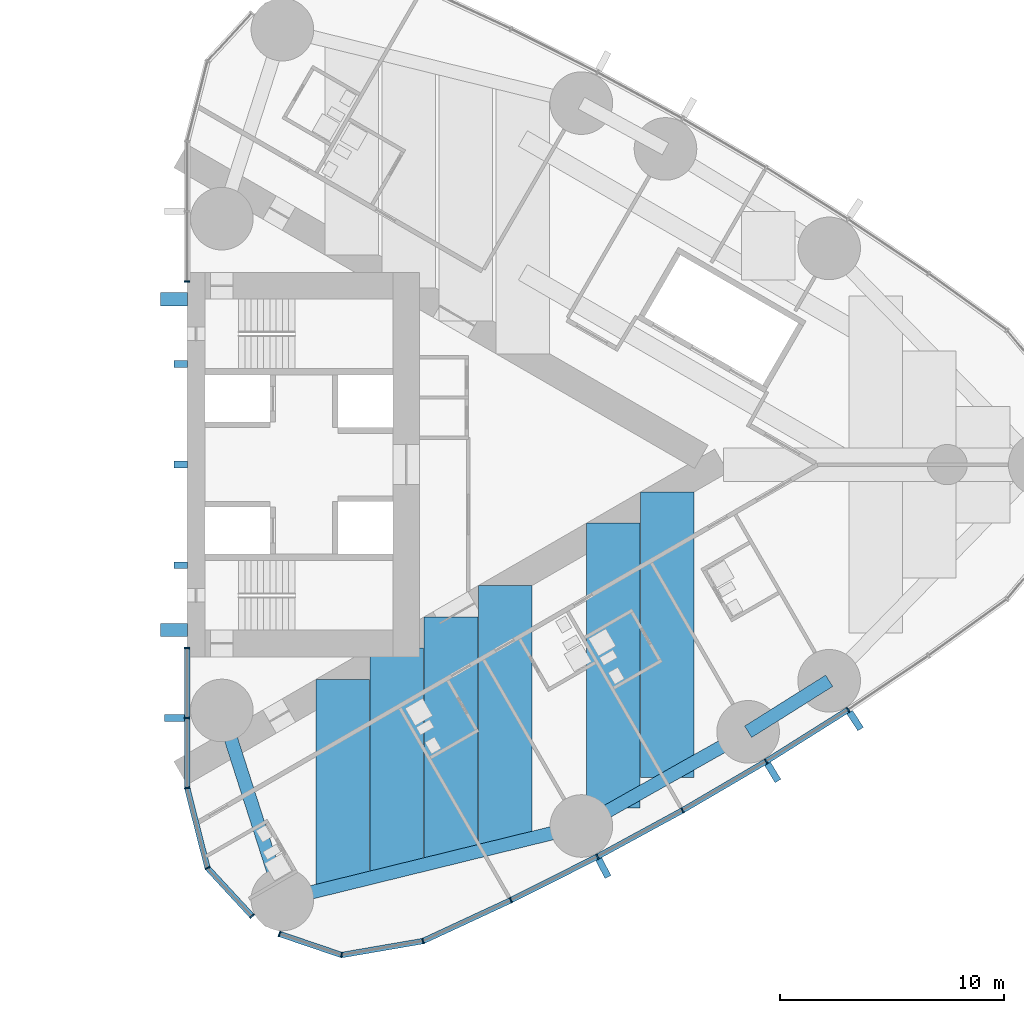
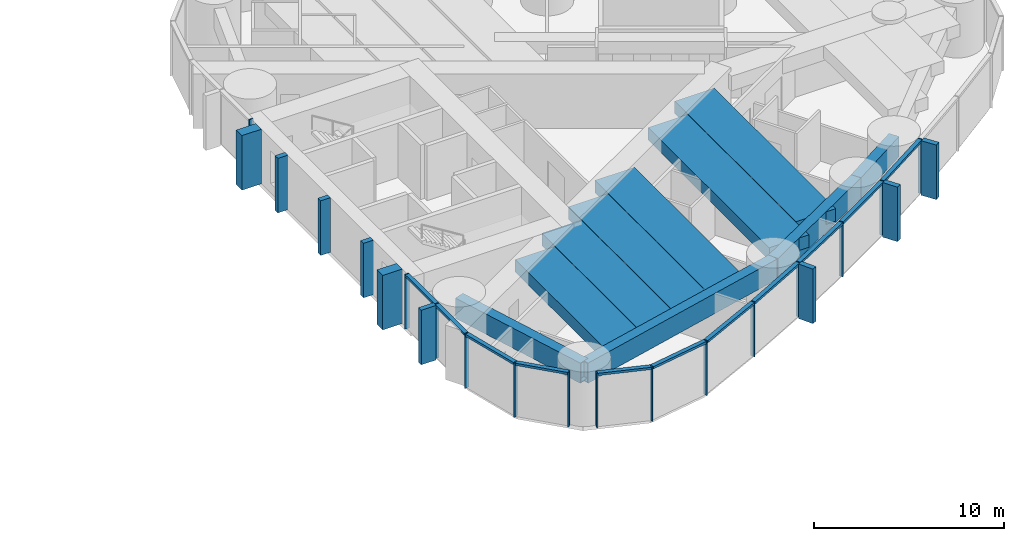
# One storey, part 6 of 19: 34 members, 10 beams, 3 elements without a shape of their own.
"""IFC4 building model written with IfcOpenShell, lengths in metres."""

from ifc_helpers import new_model, si_unit, direction, frame, origin, origin_2d, place, context, subcontext, project, spatial, rectangle, hollow_rectangle, extrude, material, material_profile, profile_set, type_object, element, aggregate, save


model = new_model("IFC4")

# Units and contexts
model_context = context("Model", 3, precision=1e-05, world=origin(), true_north=direction((0.0, 1.0)))
body_context = subcontext(model_context, "Body", "Model", "MODEL_VIEW")
ifc_project = project(units=[si_unit("LENGTHUNIT", "METRE"), si_unit("AREAUNIT", "SQUARE_METRE"), si_unit("VOLUMEUNIT", "CUBIC_METRE"), si_unit("PLANEANGLEUNIT", "RADIAN"), si_unit("MASSUNIT", "GRAM", prefix="KILO")], contexts=[model_context])

# Site, building, storey
site_placement = place(None, origin())
site = spatial("IfcSite", under=ifc_project, at=site_placement, CompositionType="ELEMENT")
building_placement = place(site_placement, origin())
building = spatial("IfcBuilding", under=site, at=building_placement, Name="Lancet Gate Hotel", CompositionType="ELEMENT")
storey_placement = place(building_placement, frame((0.0, 0.0, 198.300048828125)))
storey = spatial("IfcBuildingStorey", under=building, at=storey_placement, Name="L53", CompositionType="ELEMENT", Elevation=198.300048828125)

# Curtain wall, members
ifc_material_1 = material(Name="Aluminium curtain wall", Category="aluminium")
curtain_wall_type = type_object("IfcCurtainWallType", Name="Tower unitised curtain wall", PredefinedType="USERDEFINED", material=ifc_material_1)
curtain_wall_1_placement = place(storey_placement, origin())
curtain_wall_1 = element("IfcCurtainWall", 1, at=curtain_wall_1_placement, inside=storey, type_object=curtain_wall_type, Name="T2 L53 curtain wall 1", ObjectType="UNITISED CURTAIN WALL", PredefinedType="USERDEFINED")
ifc_material_2 = material(Name="Aluminium mullion", Category="aluminium")
ifc_material_profile_1 = material_profile(ifc_material_2, rectangle(XDim=0.06494140625, YDim=0.25, at=origin_2d()), Name="MULLION 65x250")
ifc_profile_set_1 = profile_set([ifc_material_profile_1], Name="Aluminium mullion")
member_type_1 = type_object("IfcMemberType", Name="Aluminium mullion 65x250", PredefinedType="MULLION", material=ifc_profile_set_1)
member_1_placement = place(storey_placement, frame((27.5, -8.199951171875, 0.0), z_axis=(0.0, 0.0, 1.0), x_axis=(0.0, -1.0, 0.0)))
member_1 = element("IfcMember", 2, at=member_1_placement, type_object=member_type_1, Name="T2 L53 curtain wall 1 mullion 1", PredefinedType="MULLION", context=body_context, shape_type="SweptSolid", body=[
    extrude(rectangle(XDim=0.06494140625, YDim=0.25, at=origin_2d()), origin(), (0.0, 0.0, 1.0), 3.5),
])
member_2_placement = place(storey_placement, frame((27.5, -11.332763671875, 0.0), z_axis=(0.0, 0.0, 1.0), x_axis=(0.0, -1.0, 0.0)))
member_2 = element("IfcMember", 3, at=member_2_placement, type_object=member_type_1, Name="T2 L53 curtain wall 1 mullion 2", PredefinedType="MULLION", context=body_context, shape_type="SweptSolid", body=[
    extrude(rectangle(XDim=0.06494140625, YDim=0.25, at=origin_2d()), origin(), (0.0, 0.0, 1.0), 3.5),
])
member_3_placement = place(storey_placement, frame((27.5, -14.465576171875, 0.0), z_axis=(0.0, 0.0, 1.0), x_axis=(0.134206524909, -0.990953383703, 0.0)))
member_3 = element("IfcMember", 4, at=member_3_placement, type_object=member_type_1, Name="T2 L53 curtain wall 1 mullion 3", PredefinedType="MULLION", context=body_context, shape_type="SweptSolid", body=[
    extrude(rectangle(XDim=0.06494140625, YDim=0.25, at=origin_2d()), origin(), (0.0, 0.0, 1.0), 3.5),
])
member_4_placement = place(storey_placement, frame((28.408935546875, -18.04443359375, 0.0), z_axis=(0.0, 0.0, 1.0), x_axis=(0.451505925065, -0.892268120932, 0.0)))
member_4 = element("IfcMember", 5, at=member_4_placement, type_object=member_type_1, Name="T2 L53 curtain wall 1 mullion 4", PredefinedType="MULLION", context=body_context, shape_type="SweptSolid", body=[
    extrude(rectangle(XDim=0.06494140625, YDim=0.25, at=origin_2d()), origin(), (0.0, 0.0, 1.0), 3.5),
])
member_5_placement = place(storey_placement, frame((30.40185546875, -20.199951171875, 0.0), z_axis=(0.0, 0.0, 1.0), x_axis=(0.67883123083, -0.734294327943, 0.0)))
member_5 = element("IfcMember", 6, at=member_5_placement, type_object=member_type_1, Name="T2 L53 curtain wall 1 mullion 5", PredefinedType="MULLION", context=body_context, shape_type="SweptSolid", body=[
    extrude(rectangle(XDim=0.06494140625, YDim=0.25, at=origin_2d()), origin(), (0.0, 0.0, 1.0), 3.5),
])

curtain_wall_2_placement = place(storey_placement, origin())
curtain_wall_2 = element("IfcCurtainWall", 7, at=curtain_wall_2_placement, inside=storey, type_object=curtain_wall_type, Name="T2 L53 curtain wall 2", ObjectType="UNITISED CURTAIN WALL", PredefinedType="USERDEFINED")
member_6_placement = place(storey_placement, frame((31.631591796875, -20.998779296875, 0.0), z_axis=(0.0, 0.0, 1.0), x_axis=(0.946952368511, -0.321373943827, 0.0)))
member_6 = element("IfcMember", 8, at=member_6_placement, type_object=member_type_1, Name="T2 L53 curtain wall 2 mullion 1", PredefinedType="MULLION", context=body_context, shape_type="SweptSolid", body=[
    extrude(rectangle(XDim=0.06494140625, YDim=0.25, at=origin_2d()), origin(), (0.0, 0.0, 1.0), 3.5),
])
member_7_placement = place(storey_placement, frame((34.412109375, -21.9423828125, 0.0), z_axis=(0.0, 0.0, 1.0), x_axis=(0.99877556888, -0.049470829879, 0.0)))
member_7 = element("IfcMember", 9, at=member_7_placement, type_object=member_type_1, Name="T2 L53 curtain wall 2 mullion 2", PredefinedType="MULLION", context=body_context, shape_type="SweptSolid", body=[
    extrude(rectangle(XDim=0.06494140625, YDim=0.25, at=origin_2d()), origin(), (0.0, 0.0, 1.0), 3.5),
])
member_8_placement = place(storey_placement, frame((38.05126953125, -21.31689453125, 0.0), z_axis=(0.0, 0.0, 1.0), x_axis=(0.951355493327, 0.308095318555, 0.0)))
member_8 = element("IfcMember", 10, at=member_8_placement, type_object=member_type_1, Name="T2 L53 curtain wall 2 mullion 3", PredefinedType="MULLION", context=body_context, shape_type="SweptSolid", body=[
    extrude(rectangle(XDim=0.06494140625, YDim=0.25, at=origin_2d()), origin(), (0.0, 0.0, 1.0), 3.5),
])
member_9_placement = place(storey_placement, frame((41.98193359375, -19.490966796875, 0.0), z_axis=(0.0, 0.0, 1.0), x_axis=(0.900141333422, 0.435597956681, 0.0)))
member_9 = element("IfcMember", 11, at=member_9_placement, type_object=member_type_1, Name="T2 L53 curtain wall 2 mullion 4", PredefinedType="MULLION", context=body_context, shape_type="SweptSolid", body=[
    extrude(rectangle(XDim=0.06494140625, YDim=0.25, at=origin_2d()), origin(), (0.0, 0.0, 1.0), 3.5),
])
member_10_placement = place(storey_placement, frame((45.8525390625, -17.54150390625, 0.0), z_axis=(0.0, 0.0, 1.0), x_axis=(0.885877049989, 0.463920092584, 0.0)))
member_10 = element("IfcMember", 12, at=member_10_placement, type_object=member_type_1, Name="T2 L53 curtain wall 2 mullion 5", PredefinedType="MULLION", context=body_context, shape_type="SweptSolid", body=[
    extrude(rectangle(XDim=0.06494140625, YDim=0.25, at=origin_2d()), origin(), (0.0, 0.0, 1.0), 3.5),
])
member_11_placement = place(storey_placement, frame((49.65966796875, -15.47021484375, 0.0), z_axis=(0.0, 0.0, 1.0), x_axis=(0.870721916932, 0.491775704336, 0.0)))
member_11 = element("IfcMember", 13, at=member_11_placement, type_object=member_type_1, Name="T2 L53 curtain wall 2 mullion 6", PredefinedType="MULLION", context=body_context, shape_type="SweptSolid", body=[
    extrude(rectangle(XDim=0.06494140625, YDim=0.25, at=origin_2d()), origin(), (0.0, 0.0, 1.0), 3.5),
])
member_12_placement = place(storey_placement, frame((53.39892578125, -13.279541015625, 0.0), z_axis=(0.0, 0.0, 1.0), x_axis=(0.854691174453, 0.519136779965, 0.0)))
member_12 = element("IfcMember", 14, at=member_12_placement, type_object=member_type_1, Name="T2 L53 curtain wall 2 mullion 7", PredefinedType="MULLION", context=body_context, shape_type="SweptSolid", body=[
    extrude(rectangle(XDim=0.06494140625, YDim=0.25, at=origin_2d()), origin(), (0.0, 0.0, 1.0), 3.5),
])
member_13_placement = place(storey_placement, frame((57.067138671875, -10.970947265625, 0.0), z_axis=(0.0, 0.0, 1.0), x_axis=(0.837800943278, 0.545975804815, 0.0)))
member_13 = element("IfcMember", 15, at=member_13_placement, type_object=member_type_1, Name="T2 L53 curtain wall 2 mullion 8", PredefinedType="MULLION", context=body_context, shape_type="SweptSolid", body=[
    extrude(rectangle(XDim=0.06494140625, YDim=0.25, at=origin_2d()), origin(), (0.0, 0.0, 1.0), 3.5),
])

# Curtain wall, member
curtain_wall_3_placement = place(storey_placement, origin())
curtain_wall_3 = element("IfcCurtainWall", 16, at=curtain_wall_3_placement, inside=storey, type_object=curtain_wall_type, Name="T2 L53 curtain wall 4", ObjectType="UNITISED CURTAIN WALL", PredefinedType="USERDEFINED")
member_14_placement = place(storey_placement, frame((27.5, 8.199951171875, 0.0), z_axis=(0.0, 0.0, 1.0), x_axis=(0.0, -1.0, 0.0)))
member_14 = element("IfcMember", 17, at=member_14_placement, type_object=member_type_1, Name="T2 L53 curtain wall 4 mullion 5", PredefinedType="MULLION", context=body_context, shape_type="SweptSolid", body=[
    extrude(rectangle(XDim=0.06494140625, YDim=0.25, at=origin_2d()), origin(), (0.0, 0.0, 1.0), 3.5),
])
aggregate(curtain_wall_3, [member_14])

# Member
ifc_material_3 = material(Name="Aluminium transom", Category="aluminium")
ifc_material_profile_2 = material_profile(ifc_material_3, rectangle(XDim=0.25, YDim=0.14990234375, at=origin_2d()), Name="TRANSOM 250x150")
ifc_profile_set_2 = profile_set([ifc_material_profile_2], Name="Aluminium transom")
member_type_2 = type_object("IfcMemberType", Name="Aluminium transom 250x150", PredefinedType="USERDEFINED", material=ifc_profile_set_2)
member_15_placement = place(storey_placement, frame((27.5, -8.232421875, 3.425048828125), z_axis=(0.0, -1.0, 0.0), x_axis=(1.0, 0.0, 0.0)))
member_15 = element("IfcMember", 18, at=member_15_placement, type_object=member_type_2, Name="T2 L53 curtain wall 1 transom 1", ObjectType="TRANSOM", PredefinedType="USERDEFINED", context=body_context, shape_type="SweptSolid", body=[
    extrude(rectangle(XDim=0.25, YDim=0.14990234375, at=origin_2d()), origin(), (0.0, 0.0, 1.0), 3.06787109375),
])

member_16_placement = place(storey_placement, frame((27.5, -11.365234375, 3.425048828125), z_axis=(0.0, -1.0, 0.0), x_axis=(1.0, 0.0, 0.0)))
member_16 = element("IfcMember", 19, at=member_16_placement, type_object=member_type_2, Name="T2 L53 curtain wall 1 transom 2", ObjectType="TRANSOM", PredefinedType="USERDEFINED", context=body_context, shape_type="SweptSolid", body=[
    extrude(rectangle(XDim=0.25, YDim=0.14990234375, at=origin_2d()), origin(), (0.0, 0.0, 1.0), 3.06787109375),
])

member_17_placement = place(storey_placement, frame((27.508056640625, -14.4970703125, 3.425048828125), z_axis=(0.246128756616, -0.969237140831, 0.0), x_axis=(0.969237140831, 0.246128756616, 0.0)))
member_17 = element("IfcMember", 20, at=member_17_placement, type_object=member_type_2, Name="T2 L53 curtain wall 1 transom 3", ObjectType="TRANSOM", PredefinedType="USERDEFINED", context=body_context, shape_type="SweptSolid", body=[
    extrude(rectangle(XDim=0.25, YDim=0.14990234375, at=origin_2d()), origin(), (0.0, 0.0, 1.0), 3.62744140625),
])

member_18_placement = place(storey_placement, frame((28.43115234375, -18.068359375, 3.425048828125), z_axis=(0.678792146129, -0.734330458549, 0.0), x_axis=(0.734330458549, 0.678792146129, 0.0)))
member_18 = element("IfcMember", 21, at=member_18_placement, type_object=member_type_2, Name="T2 L53 curtain wall 1 transom 4", ObjectType="TRANSOM", PredefinedType="USERDEFINED", context=body_context, shape_type="SweptSolid", body=[
    extrude(rectangle(XDim=0.25, YDim=0.14990234375, at=origin_2d()), origin(), (0.0, 0.0, 1.0), 2.87060546875),
])

member_19_placement = place(storey_placement, frame((31.662353515625, -21.00927734375, 3.425048828125), z_axis=(0.946943122832, -0.321401185625, 0.0), x_axis=(0.321401185625, 0.946943122832, 0.0)))
member_19 = element("IfcMember", 22, at=member_19_placement, type_object=member_type_2, Name="T2 L53 curtain wall 2 transom 1", ObjectType="TRANSOM", PredefinedType="USERDEFINED", context=body_context, shape_type="SweptSolid", body=[
    extrude(rectangle(XDim=0.25, YDim=0.14990234375, at=origin_2d()), origin(), (0.0, 0.0, 1.0), 2.871337890625),
])

member_20_placement = place(storey_placement, frame((34.444091796875, -21.93701171875, 3.425048828125), z_axis=(0.985536950873, 0.169460669373, 0.0), x_axis=(-0.169460669373, 0.985536950873, 0.0)))
member_20 = element("IfcMember", 23, at=member_20_placement, type_object=member_type_2, Name="T2 L53 curtain wall 2 transom 2", ObjectType="TRANSOM", PredefinedType="USERDEFINED", context=body_context, shape_type="SweptSolid", body=[
    extrude(rectangle(XDim=0.25, YDim=0.14990234375, at=origin_2d()), origin(), (0.0, 0.0, 1.0), 3.627685546875),
])

member_21_placement = place(storey_placement, frame((38.080810546875, -21.30322265625, 3.425048828125), z_axis=(0.906913768492, 0.421316290357, 0.0), x_axis=(-0.421316290357, 0.906913768492, 0.0)))
member_21 = element("IfcMember", 24, at=member_21_placement, type_object=member_type_2, Name="T2 L53 curtain wall 2 transom 3", ObjectType="TRANSOM", PredefinedType="USERDEFINED", context=body_context, shape_type="SweptSolid", body=[
    extrude(rectangle(XDim=0.25, YDim=0.14990234375, at=origin_2d()), origin(), (0.0, 0.0, 1.0), 4.26904296875),
])

member_22_placement = place(storey_placement, frame((42.010986328125, -19.476318359375, 3.425048828125), z_axis=(0.893130969207, 0.449796700571, 0.0), x_axis=(-0.449796700571, 0.893130969207, 0.0)))
member_22 = element("IfcMember", 25, at=member_22_placement, type_object=member_type_2, Name="T2 L53 curtain wall 2 transom 4", ObjectType="TRANSOM", PredefinedType="USERDEFINED", context=body_context, shape_type="SweptSolid", body=[
    extrude(rectangle(XDim=0.25, YDim=0.14990234375, at=origin_2d()), origin(), (0.0, 0.0, 1.0), 4.26904296875),
])

member_23_placement = place(storey_placement, frame((45.881103515625, -17.526123046875, 3.425048828125), z_axis=(0.878404302735, 0.477918278513, 0.0), x_axis=(-0.477918278513, 0.878404302735, 0.0)))
member_23 = element("IfcMember", 26, at=member_23_placement, type_object=member_type_2, Name="T2 L53 curtain wall 2 transom 5", ObjectType="TRANSOM", PredefinedType="USERDEFINED", context=body_context, shape_type="SweptSolid", body=[
    extrude(rectangle(XDim=0.25, YDim=0.14990234375, at=origin_2d()), origin(), (0.0, 0.0, 1.0), 4.26904296875),
])

member_24_placement = place(storey_placement, frame((49.687744140625, -15.453857421875, 3.425048828125), z_axis=(0.862825279032, 0.505502262966, 0.0), x_axis=(-0.505502262966, 0.862825279032, 0.0)))
member_24 = element("IfcMember", 27, at=member_24_placement, type_object=member_type_2, Name="T2 L53 curtain wall 2 transom 6", ObjectType="TRANSOM", PredefinedType="USERDEFINED", context=body_context, shape_type="SweptSolid", body=[
    extrude(rectangle(XDim=0.25, YDim=0.14990234375, at=origin_2d()), origin(), (0.0, 0.0, 1.0), 4.26904296875),
])

member_25_placement = place(storey_placement, frame((53.426513671875, -13.26220703125, 3.425048828125), z_axis=(0.846333101657, 0.532653997488, 0.0), x_axis=(-0.532653997488, 0.846333101657, 0.0)))
member_25 = element("IfcMember", 28, at=member_25_placement, type_object=member_type_2, Name="T2 L53 curtain wall 2 transom 7", ObjectType="TRANSOM", PredefinedType="USERDEFINED", context=body_context, shape_type="SweptSolid", body=[
    extrude(rectangle(XDim=0.25, YDim=0.14990234375, at=origin_2d()), origin(), (0.0, 0.0, 1.0), 4.26904296875),
])

# Beams
ifc_material_4 = material(Name="Steel S460QL", Category="steel")
ifc_material_profile_3 = material_profile(ifc_material_4, hollow_rectangle(XDim=0.60009765625, YDim=1.300048828125, WallThickness=0.050048828125, at=origin_2d()), Name="BOX 1300x600x50")
ifc_profile_set_3 = profile_set([ifc_material_profile_3], Name="Steel S460QL")
beam_type_1 = type_object("IfcBeamType", Name="Edge beam BOX 1300x600x50", PredefinedType="SPANDREL", material=ifc_profile_set_3)
beam_1_placement = place(storey_placement, frame((31.759765625, -19.455810546875, 2.599853515625), z_axis=(0.971093253227, 0.238700426344, 0.0), x_axis=(-0.238700426344, 0.971093253227, 0.0)))
element("IfcBeam", 29, at=beam_1_placement, inside=storey, type_object=beam_type_1, Name="T2 edge beam EB2 L53", PredefinedType="SPANDREL", context=body_context, shape_type="SweptSolid", body=[
    extrude(hollow_rectangle(XDim=0.60009765625, YDim=1.300048828125, WallThickness=0.050048828125, at=origin_2d()), origin(), (0.0, 0.0, 1.0), 13.77197265625),
])
beam_2_placement = place(storey_placement, frame((45.133544921875, -16.16845703125, 2.599853515625), z_axis=(0.870721990329, 0.491775574381, 0.0), x_axis=(-0.491775574381, 0.870721990329, 0.0)))
element("IfcBeam", 30, at=beam_2_placement, inside=storey, type_object=beam_type_1, Name="T2 edge beam EB2 L53", PredefinedType="SPANDREL", context=body_context, shape_type="SweptSolid", body=[
    extrude(hollow_rectangle(XDim=0.60009765625, YDim=1.300048828125, WallThickness=0.050048828125, at=origin_2d()), origin(), (0.0, 0.0, 1.0), 8.568603515625),
])
beam_3_placement = place(storey_placement, frame((52.594482421875, -11.95458984375, 2.599853515625), z_axis=(0.846348902569, 0.532628890617, 0.0), x_axis=(-0.532628890617, 0.846348902569, 0.0)))
element("IfcBeam", 31, at=beam_3_placement, inside=storey, type_object=beam_type_1, Name="T2 edge beam EB2 L53", PredefinedType="SPANDREL", context=body_context, shape_type="SweptSolid", body=[
    extrude(hollow_rectangle(XDim=0.60009765625, YDim=1.300048828125, WallThickness=0.050048828125, at=origin_2d()), origin(), (0.0, 0.0, 1.0), 4.284912109375),
])
beam_4_placement = place(storey_placement, frame((31.759765625, -19.455810546875, 2.599853515625), z_axis=(-0.305169772986, 0.952297962644, 0.0), x_axis=(-0.952297962644, -0.305169772986, 0.0)))
element("IfcBeam", 32, at=beam_4_placement, inside=storey, type_object=beam_type_1, Name="T2 edge beam EB2 L53", PredefinedType="SPANDREL", context=body_context, shape_type="SweptSolid", body=[
    extrude(hollow_rectangle(XDim=0.60009765625, YDim=1.300048828125, WallThickness=0.050048828125, at=origin_2d()), origin(), (0.0, 0.0, 1.0), 8.87939453125),
])

# Members
ifc_material_5 = material(Name="Concrete C60/75", Category="concrete")
ifc_material_profile_4 = material_profile(ifc_material_5, rectangle(XDim=0.60009765625, YDim=1.199951171875, at=origin_2d()), Name="FIN 600x1200")
ifc_profile_set_4 = profile_set([ifc_material_profile_4], Name="Concrete C60/75")
member_type_3 = type_object("IfcMemberType", Name="Exposed concrete buttress pilaster 600x1200", PredefinedType="USERDEFINED", material=ifc_profile_set_4)
for number, where, z_axis, x_axis, name in (
    (33, (26.909912109375, -7.39990234375, 0.0), (0.0, 0.0, 1.0), (0.0, 1.0, 0.0), "T2 buttress pilaster S L53"),
    (34, (26.909912109375, 7.39990234375, 0.0), (0.0, 0.0, 1.0), (0.0, 1.0, 0.0), "T2 buttress pilaster N L53"),
):
    element("IfcMember", number, at=place(storey_placement, frame(where, z_axis=z_axis, x_axis=x_axis)), inside=storey, type_object=member_type_3, Name=name, ObjectType="FIN", PredefinedType="USERDEFINED", context=body_context, shape_type="SweptSolid", body=[
        extrude(rectangle(XDim=0.60009765625, YDim=1.199951171875, at=origin_2d()), origin(), (0.0, 0.0, 1.0), 3.5),
    ])

# Member
ifc_material_6 = material(Name="Precast concrete C50/60", Category="concrete")
ifc_material_profile_5 = material_profile(ifc_material_6, rectangle(XDim=0.300048828125, YDim=0.89990234375, at=origin_2d()), Name="FIN 300x900")
ifc_profile_set_5 = profile_set([ifc_material_profile_5], Name="Precast concrete C50/60")
member_type_4 = type_object("IfcMemberType", Name="Exposed concrete fin 300x900", PredefinedType="USERDEFINED", material=ifc_profile_set_5)
member_26_placement = place(storey_placement, frame((26.925048828125, -11.332763671875, 0.0), z_axis=(0.0, 0.0, 1.0), x_axis=(0.0, -1.0, 0.0)))
member_26 = element("IfcMember", 35, at=member_26_placement, type_object=member_type_4, Name="T2 L53 curtain wall 1 fin 2", ObjectType="FIN", PredefinedType="USERDEFINED", context=body_context, shape_type="SweptSolid", body=[
    extrude(rectangle(XDim=0.300048828125, YDim=0.89990234375, at=origin_2d()), origin(), (0.0, 0.0, 1.0), 3.5),
])

aggregate(curtain_wall_1, [member_1, member_2, member_26, member_3, member_4, member_5, member_15, member_16, member_17, member_18])

member_27_placement = place(storey_placement, frame((46.119384765625, -18.051025390625, 0.0), z_axis=(0.0, 0.0, 1.0), x_axis=(0.885877049989, 0.463920092584, 0.0)))
member_27 = element("IfcMember", 36, at=member_27_placement, type_object=member_type_4, Name="T2 L53 curtain wall 2 fin 5", ObjectType="FIN", PredefinedType="USERDEFINED", context=body_context, shape_type="SweptSolid", body=[
    extrude(rectangle(XDim=0.300048828125, YDim=0.89990234375, at=origin_2d()), origin(), (0.0, 0.0, 1.0), 3.5),
])

member_28_placement = place(storey_placement, frame((53.697509765625, -13.770751953125, 0.0), z_axis=(0.0, 0.0, 1.0), x_axis=(0.854691174453, 0.519136779965, 0.0)))
member_28 = element("IfcMember", 37, at=member_28_placement, type_object=member_type_4, Name="T2 L53 curtain wall 2 fin 7", ObjectType="FIN", PredefinedType="USERDEFINED", context=body_context, shape_type="SweptSolid", body=[
    extrude(rectangle(XDim=0.300048828125, YDim=0.89990234375, at=origin_2d()), origin(), (0.0, 0.0, 1.0), 3.5),
])

member_29_placement = place(storey_placement, frame((57.381103515625, -11.452880859375, 0.0), z_axis=(0.0, 0.0, 1.0), x_axis=(0.837800943278, 0.545975804815, 0.0)))
member_29 = element("IfcMember", 38, at=member_29_placement, type_object=member_type_4, Name="T2 L53 curtain wall 2 fin 8", ObjectType="FIN", PredefinedType="USERDEFINED", context=body_context, shape_type="SweptSolid", body=[
    extrude(rectangle(XDim=0.300048828125, YDim=0.89990234375, at=origin_2d()), origin(), (0.0, 0.0, 1.0), 3.5),
])

aggregate(curtain_wall_2, [member_6, member_7, member_8, member_9, member_10, member_27, member_11, member_12, member_28, member_13, member_29, member_19, member_20, member_21, member_22, member_23, member_24, member_25])

# Members
ifc_material_7 = material(Name="Concrete C60/75", Category="concrete")
ifc_material_profile_6 = material_profile(ifc_material_7, rectangle(XDim=0.300048828125, YDim=0.60009765625, at=origin_2d()), Name="FIN 300x600")
ifc_profile_set_6 = profile_set([ifc_material_profile_6], Name="Concrete C60/75")
member_type_5 = type_object("IfcMemberType", Name="Exposed concrete rib 300x600", PredefinedType="USERDEFINED", material=ifc_profile_set_6)
for number, where, z_axis, x_axis, name in (
    (39, (27.2099609375, -4.5, 0.0), (0.0, 0.0, 1.0), (0.0, 1.0, 0.0), "T2 core rib 1 L53"),
    (40, (27.2099609375, 0.0, 0.0), (0.0, 0.0, 1.0), (0.0, 1.0, 0.0), "T2 core rib 2 L53"),
    (41, (27.2099609375, 4.5, 0.0), (0.0, 0.0, 1.0), (0.0, 1.0, 0.0), "T2 core rib 3 L53"),
):
    element("IfcMember", number, at=place(storey_placement, frame(where, z_axis=z_axis, x_axis=x_axis)), inside=storey, type_object=member_type_5, Name=name, ObjectType="FIN", PredefinedType="USERDEFINED", context=body_context, shape_type="SweptSolid", body=[
        extrude(rectangle(XDim=0.300048828125, YDim=0.60009765625, at=origin_2d()), origin(), (0.0, 0.0, 1.0), 3.5),
    ])

# Beams
ifc_material_8 = material(Name="Concrete C50/60", Category="concrete")
ifc_material_profile_7 = material_profile(ifc_material_8, rectangle(XDim=2.39990234375, YDim=0.800048828125, at=origin_2d()), Name="RC 2400x800")
ifc_profile_set_7 = profile_set([ifc_material_profile_7], Name="Concrete C50/60")
beam_type_2 = type_object("IfcBeamType", Name="Floor beam RC 2400x800", PredefinedType="BEAM", material=ifc_profile_set_7)
beam_5_placement = place(storey_placement, frame((34.460693359375, -18.7919921875, 2.849853515625), z_axis=(0.0, 1.0, 0.0), x_axis=(-1.0, 0.0, 0.0)))
element("IfcBeam", 42, at=beam_5_placement, inside=storey, type_object=beam_type_2, Name="T2 floor beam F01S L53", PredefinedType="BEAM", context=body_context, shape_type="SweptSolid", body=[
    extrude(rectangle(XDim=2.39990234375, YDim=0.800048828125, at=origin_2d()), origin(), (0.0, 0.0, 1.0), 9.18408203125),
])
beam_6_placement = place(storey_placement, frame((36.880859375, -18.197021484375, 2.849853515625), z_axis=(0.0, 1.0, 0.0), x_axis=(-1.0, 0.0, 0.0)))
element("IfcBeam", 43, at=beam_6_placement, inside=storey, type_object=beam_type_2, Name="T2 floor beam F03S L53", PredefinedType="BEAM", context=body_context, shape_type="SweptSolid", body=[
    extrude(rectangle(XDim=2.39990234375, YDim=0.800048828125, at=origin_2d()), origin(), (0.0, 0.0, 1.0), 9.986328125),
])
beam_7_placement = place(storey_placement, frame((39.301025390625, -17.60205078125, 2.849853515625), z_axis=(0.0, 1.0, 0.0), x_axis=(-1.0, 0.0, 0.0)))
element("IfcBeam", 44, at=beam_7_placement, inside=storey, type_object=beam_type_2, Name="T2 floor beam F05S L53", PredefinedType="BEAM", context=body_context, shape_type="SweptSolid", body=[
    extrude(rectangle(XDim=2.39990234375, YDim=0.800048828125, at=origin_2d()), origin(), (0.0, 0.0, 1.0), 10.78857421875),
])
beam_8_placement = place(storey_placement, frame((41.721435546875, -17.007080078125, 2.849853515625), z_axis=(0.0, 1.0, 0.0), x_axis=(-1.0, 0.0, 0.0)))
element("IfcBeam", 45, at=beam_8_placement, inside=storey, type_object=beam_type_2, Name="T2 floor beam F07S L53", PredefinedType="BEAM", context=body_context, shape_type="SweptSolid", body=[
    extrude(rectangle(XDim=2.39990234375, YDim=0.800048828125, at=origin_2d()), origin(), (0.0, 0.0, 1.0), 11.591064453125),
])
beam_9_placement = place(storey_placement, frame((46.561767578125, -15.36181640625, 2.849853515625), z_axis=(0.0, 1.0, 0.0), x_axis=(-1.0, 0.0, 0.0)))
element("IfcBeam", 46, at=beam_9_placement, inside=storey, type_object=beam_type_2, Name="T2 floor beam F09S L53", PredefinedType="BEAM", context=body_context, shape_type="SweptSolid", body=[
    extrude(rectangle(XDim=2.39990234375, YDim=0.800048828125, at=origin_2d()), origin(), (0.0, 0.0, 1.0), 12.740478515625),
])
beam_10_placement = place(storey_placement, frame((48.98193359375, -13.994873046875, 2.849853515625), z_axis=(0.0, 1.0, 0.0), x_axis=(-1.0, 0.0, 0.0)))
element("IfcBeam", 47, at=beam_10_placement, inside=storey, type_object=beam_type_2, Name="T2 floor beam F10S L53", PredefinedType="BEAM", context=body_context, shape_type="SweptSolid", body=[
    extrude(rectangle(XDim=2.39990234375, YDim=0.800048828125, at=origin_2d()), origin(), (0.0, 0.0, 1.0), 12.770751953125),
])

save(model, "model.ifc")
